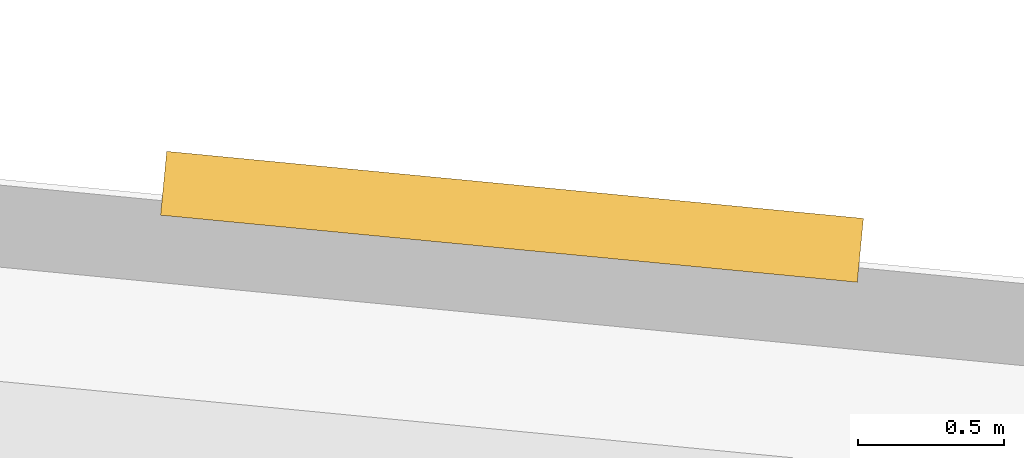
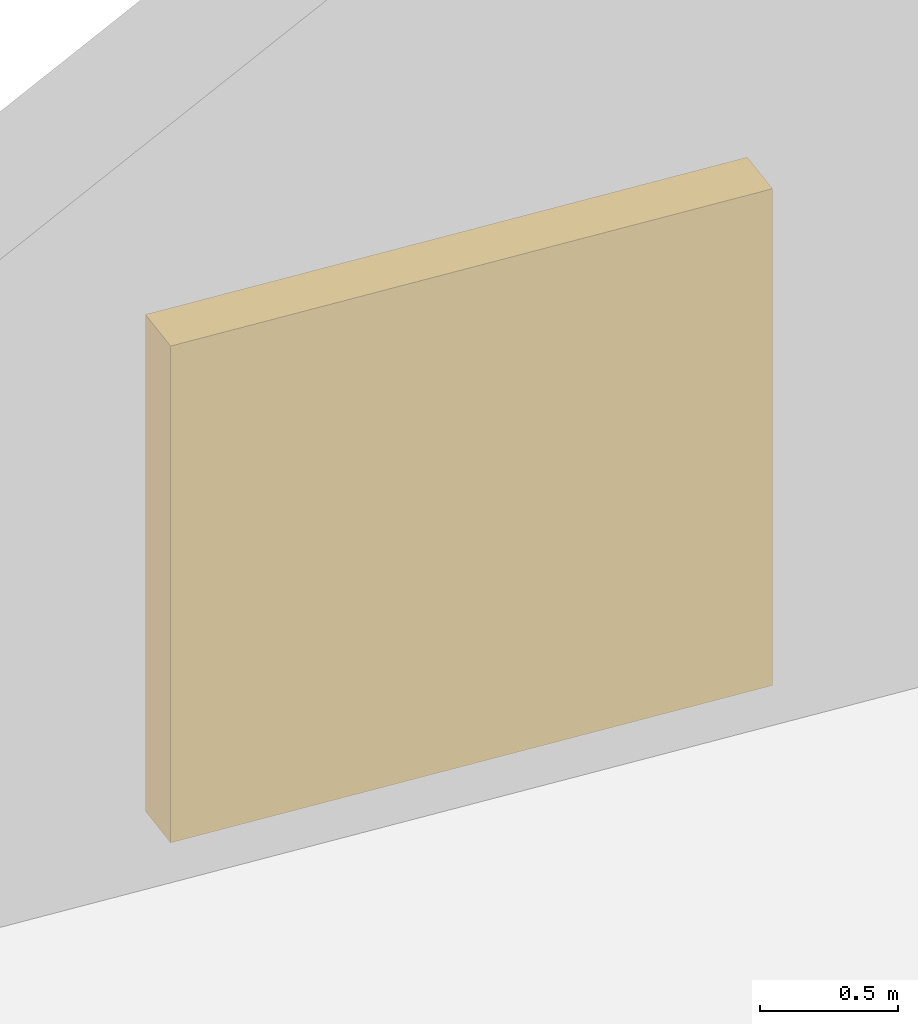
# One storey, part 8 of 8: 1 shading device.
"""IFC4 building model written with IfcOpenShell, lengths in metres."""

from ifc_helpers import new_model, si_unit, direction, frame, origin, origin_2d, place, context, subcontext, project, spatial, rectangle, extrude, material, type_object, element, save


model = new_model("IFC4")

# Units and contexts
model_context = context("Model", 3, precision=1e-05, world=origin(), true_north=direction((0.0, 1.0)))
body_context = subcontext(model_context, "Body", "Model", "MODEL_VIEW")
ifc_project = project(units=[si_unit("LENGTHUNIT", "METRE"), si_unit("AREAUNIT", "SQUARE_METRE"), si_unit("VOLUMEUNIT", "CUBIC_METRE"), si_unit("PLANEANGLEUNIT", "RADIAN"), si_unit("MASSUNIT", "GRAM", prefix="KILO")], contexts=[model_context])

# Site, building, storey
site_placement = place(None, origin())
site = spatial("IfcSite", under=ifc_project, at=site_placement, CompositionType="ELEMENT")
building_placement = place(site_placement, origin())
building = spatial("IfcBuilding", under=site, at=building_placement, Name="Velakula Bourse", CompositionType="ELEMENT")
storey_placement = place(building_placement, frame((0.0, 0.0, 194.89990234375)))
storey = spatial("IfcBuildingStorey", under=building, at=storey_placement, Name="L53", CompositionType="ELEMENT", Elevation=194.89990234375)

# Shading device
ifc_material = material(Name="Anodised bronze architectural aluminium", Category="aluminium")
shading_device_type = type_object("IfcShadingDeviceType", Name="SHD-JLS-2400", PredefinedType="JALOUSIE", material=ifc_material)
shading_device_placement = place(storey_placement, frame((-3.300048828125, 20.263427734375, 0.0), z_axis=(0.0, 0.0, 1.0), x_axis=(0.995396198367, -0.09584575252, 0.0)))
element("IfcShadingDevice", 1, at=shading_device_placement, inside=storey, type_object=shading_device_type, Name="L53 Mechanical Plant Acoustic Intake Louvre N", PredefinedType="JALOUSIE", context=body_context, shape_type="SweptSolid", body=[
    extrude(rectangle(XDim=2.39990234375, YDim=0.219970703125, at=origin_2d()), origin(), (0.0, 0.0, 1.0), 2.199951171875),
])

save(model, "model.ifc")
